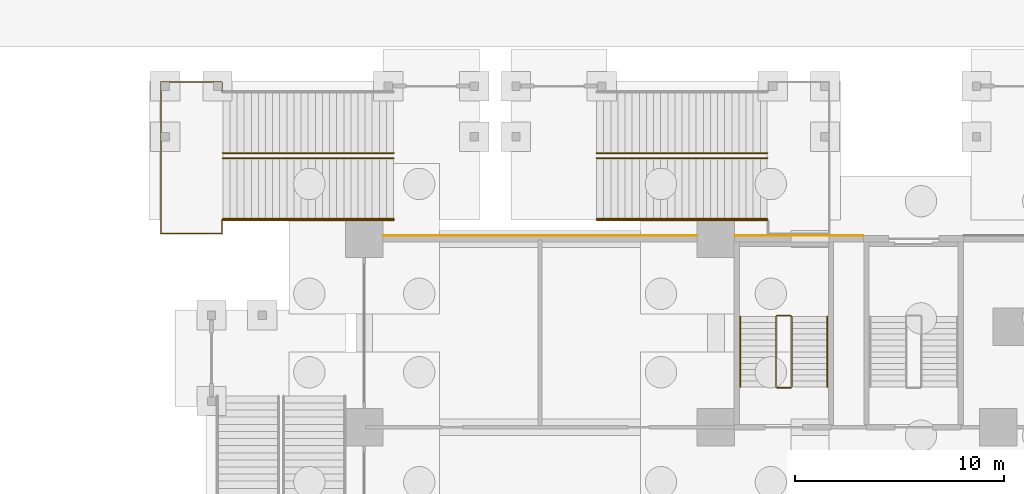
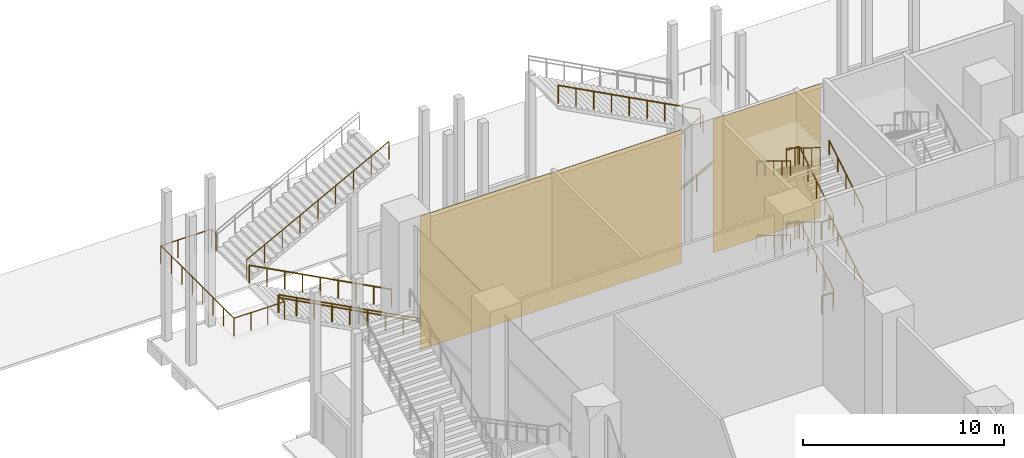
# One storey, part 67 of 72: 17 railings, 2 coverings.
"""IFC4 building model written with IfcOpenShell, lengths in metres."""

from ifc_helpers import new_model, si_unit, direction, frame, origin, origin_2d, place, context, subcontext, project, spatial, rectangle, circle, extrude, material, layer, layer_set, type_object, element, save


model = new_model("IFC4")

# Units and contexts
model_context = context("Model", 3, precision=1e-05, world=origin(), true_north=direction((0.0, 1.0)))
body_context = subcontext(model_context, "Body", "Model", "MODEL_VIEW")
ifc_project = project(units=[si_unit("LENGTHUNIT", "METRE"), si_unit("AREAUNIT", "SQUARE_METRE"), si_unit("VOLUMEUNIT", "CUBIC_METRE"), si_unit("PLANEANGLEUNIT", "RADIAN"), si_unit("MASSUNIT", "GRAM", prefix="KILO")], contexts=[model_context])

# Site, building, storey
site_placement = place(None, origin())
site = spatial("IfcSite", under=ifc_project, at=site_placement, CompositionType="ELEMENT")
building_placement = place(site_placement, origin())
building = spatial("IfcBuilding", under=site, at=building_placement, Name="Candeia Pilgrim Tower and Theatre", CompositionType="ELEMENT")
storey_placement = place(building_placement, origin())
storey = spatial("IfcBuildingStorey", under=building, at=storey_placement, Name="L00", CompositionType="ELEMENT", Elevation=0.0)

# Coverings
ifc_material_1 = material(Name="Glazed ceramic mosaic multi-colour")
ifc_layer = layer(ifc_material_1, 0.02490234375)
ifc_layer_set = layer_set([ifc_layer], Name="MS1 glazed ceramic mosaic")
covering_type = type_object("IfcCoveringType", Name="MS1 glazed ceramic mosaic", PredefinedType="CLADDING", material=ifc_layer_set)
covering_1_placement = place(storey_placement, frame((67.199951171875, 144.96240234375, 0.0), z_axis=(0.0, 0.0, 1.0), x_axis=(1.0, 0.0, 0.0)))
element("IfcCovering", 1, at=covering_1_placement, inside=storey, type_object=covering_type, Name="Mosaic panel", PredefinedType="CLADDING", context=body_context, shape_type="SweptSolid", body=[
    extrude(rectangle(XDim=15.0, YDim=0.02490234375, at=origin_2d()), origin(), (0.0, 0.0, 1.0), 8.10009765625),
])
covering_2_placement = place(storey_placement, frame((79.574951171875, 144.96240234375, 0.0), z_axis=(0.0, 0.0, 1.0), x_axis=(1.0, 0.0, 0.0)))
element("IfcCovering", 2, at=covering_2_placement, inside=storey, type_object=covering_type, Name="Mosaic panel", PredefinedType="CLADDING", context=body_context, shape_type="SweptSolid", body=[
    extrude(rectangle(XDim=6.14990234375, YDim=0.02490234375, at=origin_2d()), origin(), (0.0, 0.0, 1.0), 8.10009765625),
])

# Railings
ifc_material_2 = material(Name="Stainless steel balustrade", Category="steel")
railing_type_1 = type_object("IfcRailingType", Name="RL-GUARD-1100", PredefinedType="GUARDRAIL", material=ifc_material_2)
railing_1_placement = place(storey_placement, frame((79.22509765625, 137.72509765625, 0.173095703125)))
element("IfcRailing", 3, at=railing_1_placement, inside=storey, type_object=railing_type_1, Name="L00 PS1 stair guard 1", PredefinedType="GUARDRAIL", context=body_context, shape_type="SweptSolid", body=[
    extrude(circle(Radius=0.02392578125, at=origin_2d()), frame((0.0, 0.0, 1.076171875), z_axis=(0.0, 0.850606129759, 0.525803396734), x_axis=(-1.0, 0.0, 0.0)), (0.0, 0.0, 1.0), 3.949951171875),
    extrude(circle(Radius=0.02392578125, at=origin_2d()), frame((0.0, 3.35986328125, 3.15283203125), z_axis=(-0.707106781187, 0.707106781187, 0.0), x_axis=(-0.707106781187, -0.707106781187, 0.0)), (0.0, 0.0, 1.0), 0.07080078125),
    extrude(circle(Radius=0.02392578125, at=origin_2d()), frame((-0.050048828125, 3.409912109375, 3.15283203125), z_axis=(-1.0, 0.0, 0.0), x_axis=(0.0, -1.0, 0.0)), (0.0, 0.0, 1.0), 0.650146484375),
    extrude(circle(Radius=0.02392578125, at=origin_2d()), frame((-0.7001953125, 3.409912109375, 3.15283203125), z_axis=(-0.266417085129, -0.267723051232, 0.925929967433), x_axis=(0.708833529934, -0.705375805398, 0.0)), (0.0, 0.0, 1.0), 0.18701171875),
    extrude(circle(Radius=0.02392578125, at=origin_2d()), frame((-0.75, 3.35986328125, 3.326171875), z_axis=(0.0, -0.850606129759, 0.525803396734), x_axis=(1.0, 0.0, 0.0)), (0.0, 0.0, 1.0), 3.949951171875),
    extrude(circle(Radius=0.02099609375, at=origin_2d()), origin(), (0.0, 0.0, 1.0), 1.052001953125),
    extrude(circle(Radius=0.02099609375, at=origin_2d()), frame((0.0, 0.83984375, 0.519287109375)), (0.0, 0.0, 1.0), 1.052001953125),
    extrude(circle(Radius=0.02099609375, at=origin_2d()), frame((0.0, 1.679931640625, 1.03857421875)), (0.0, 0.0, 1.0), 1.052001953125),
    extrude(circle(Radius=0.02099609375, at=origin_2d()), frame((0.0, 2.52001953125, 1.5576171875)), (0.0, 0.0, 1.0), 1.052001953125),
    extrude(circle(Radius=0.02099609375, at=origin_2d()), frame((0.0, 3.35986328125, 2.076904296875)), (0.0, 0.0, 1.0), 1.052001953125),
    extrude(circle(Radius=0.02099609375, at=origin_2d()), frame((-0.050048828125, 3.409912109375, 2.076904296875)), (0.0, 0.0, 1.0), 1.052001953125),
    extrude(circle(Radius=0.02099609375, at=origin_2d()), frame((-0.7001953125, 3.409912109375, 2.076904296875)), (0.0, 0.0, 1.0), 1.052001953125),
    extrude(circle(Radius=0.02099609375, at=origin_2d()), frame((-0.75, 3.35986328125, 2.25)), (0.0, 0.0, 1.0), 1.052001953125),
    extrude(circle(Radius=0.02099609375, at=origin_2d()), frame((-0.75, 2.52001953125, 2.769287109375)), (0.0, 0.0, 1.0), 1.052001953125),
    extrude(circle(Radius=0.02099609375, at=origin_2d()), frame((-0.75, 1.679931640625, 3.28857421875)), (0.0, 0.0, 1.0), 1.052001953125),
    extrude(circle(Radius=0.02099609375, at=origin_2d()), frame((-0.75, 0.83984375, 3.8076171875)), (0.0, 0.0, 1.0), 1.052001953125),
    extrude(circle(Radius=0.02099609375, at=origin_2d()), frame((-0.75, 0.0, 4.326904296875)), (0.0, 0.0, 1.0), 1.052001953125),
])
railing_2_placement = place(storey_placement, frame((79.175048828125, 137.675048828125, 4.5)))
element("IfcRailing", 4, at=railing_2_placement, inside=storey, type_object=railing_type_1, Name="L00 PS1 stair guard 2", PredefinedType="GUARDRAIL", context=body_context, shape_type="SweptSolid", body=[
    extrude(circle(Radius=0.02392578125, at=origin_2d()), frame((0.0, 0.0, 1.076171875), z_axis=(-1.0, 0.0, 0.0), x_axis=(0.0, -1.0, 0.0)), (0.0, 0.0, 1.0), 0.650146484375),
    extrude(circle(Radius=0.02099609375, at=origin_2d()), origin(), (0.0, 0.0, 1.0), 1.052001953125),
    extrude(circle(Radius=0.02099609375, at=origin_2d()), frame((-0.650146484375, 0.0, 0.0)), (0.0, 0.0, 1.0), 1.052001953125),
])
railing_3_placement = place(storey_placement, frame((79.22509765625, 137.72509765625, 4.673095703125)))
element("IfcRailing", 5, at=railing_3_placement, inside=storey, type_object=railing_type_1, Name="L00 PS1 stair guard 3", PredefinedType="GUARDRAIL", context=body_context, shape_type="SweptSolid", body=[
    extrude(circle(Radius=0.02392578125, at=origin_2d()), frame((0.0, 0.0, 1.076171875), z_axis=(0.0, 0.850606129759, 0.525803396734), x_axis=(-1.0, 0.0, 0.0)), (0.0, 0.0, 1.0), 3.949951171875),
    extrude(circle(Radius=0.02392578125, at=origin_2d()), frame((0.0, 3.35986328125, 3.15283203125), z_axis=(-0.707106781187, 0.707106781187, 0.0), x_axis=(-0.707106781187, -0.707106781187, 0.0)), (0.0, 0.0, 1.0), 0.07080078125),
    extrude(circle(Radius=0.02392578125, at=origin_2d()), frame((-0.050048828125, 3.409912109375, 3.15283203125), z_axis=(-1.0, 0.0, 0.0), x_axis=(0.0, -1.0, 0.0)), (0.0, 0.0, 1.0), 0.650146484375),
    extrude(circle(Radius=0.02392578125, at=origin_2d()), frame((-0.7001953125, 3.409912109375, 3.15283203125), z_axis=(-0.266417085129, -0.267723051232, 0.925929967433), x_axis=(0.708833529934, -0.705375805398, 0.0)), (0.0, 0.0, 1.0), 0.18701171875),
    extrude(circle(Radius=0.02392578125, at=origin_2d()), frame((-0.75, 3.35986328125, 3.326171875), z_axis=(0.0, -0.850606129759, 0.525803396734), x_axis=(1.0, 0.0, 0.0)), (0.0, 0.0, 1.0), 3.949951171875),
    extrude(circle(Radius=0.02099609375, at=origin_2d()), origin(), (0.0, 0.0, 1.0), 1.052001953125),
    extrude(circle(Radius=0.02099609375, at=origin_2d()), frame((0.0, 0.83984375, 0.519287109375)), (0.0, 0.0, 1.0), 1.052001953125),
    extrude(circle(Radius=0.02099609375, at=origin_2d()), frame((0.0, 1.679931640625, 1.03857421875)), (0.0, 0.0, 1.0), 1.052001953125),
    extrude(circle(Radius=0.02099609375, at=origin_2d()), frame((0.0, 2.52001953125, 1.5576171875)), (0.0, 0.0, 1.0), 1.052001953125),
    extrude(circle(Radius=0.02099609375, at=origin_2d()), frame((0.0, 3.35986328125, 2.076904296875)), (0.0, 0.0, 1.0), 1.052001953125),
    extrude(circle(Radius=0.02099609375, at=origin_2d()), frame((-0.050048828125, 3.409912109375, 2.076904296875)), (0.0, 0.0, 1.0), 1.052001953125),
    extrude(circle(Radius=0.02099609375, at=origin_2d()), frame((-0.7001953125, 3.409912109375, 2.076904296875)), (0.0, 0.0, 1.0), 1.052001953125),
    extrude(circle(Radius=0.02099609375, at=origin_2d()), frame((-0.75, 3.35986328125, 2.25)), (0.0, 0.0, 1.0), 1.052001953125),
    extrude(circle(Radius=0.02099609375, at=origin_2d()), frame((-0.75, 2.52001953125, 2.769287109375)), (0.0, 0.0, 1.0), 1.052001953125),
    extrude(circle(Radius=0.02099609375, at=origin_2d()), frame((-0.75, 1.679931640625, 3.28857421875)), (0.0, 0.0, 1.0), 1.052001953125),
    extrude(circle(Radius=0.02099609375, at=origin_2d()), frame((-0.75, 0.83984375, 3.8076171875)), (0.0, 0.0, 1.0), 1.052001953125),
    extrude(circle(Radius=0.02099609375, at=origin_2d()), frame((-0.75, 0.0, 4.326904296875)), (0.0, 0.0, 1.0), 1.052001953125),
])
railing_4_placement = place(storey_placement, frame((79.175048828125, 137.675048828125, 0.0)))
element("IfcRailing", 6, at=railing_4_placement, inside=storey, type_object=railing_type_1, Name="L00 PS1 stair guard 4", PredefinedType="GUARDRAIL", context=body_context, shape_type="SweptSolid", body=[
    extrude(circle(Radius=0.02392578125, at=origin_2d()), frame((0.0, 0.0, 1.076171875), z_axis=(-1.0, 0.0, 0.0), x_axis=(0.0, -1.0, 0.0)), (0.0, 0.0, 1.0), 0.650146484375),
    extrude(circle(Radius=0.02099609375, at=origin_2d()), origin(), (0.0, 0.0, 1.0), 1.052001953125),
    extrude(circle(Radius=0.02099609375, at=origin_2d()), frame((-0.650146484375, 0.0, 0.0)), (0.0, 0.0, 1.0), 1.052001953125),
])
railing_5_placement = place(storey_placement, frame((60.199951171875, 148.64990234375, 0.179931640625)))
element("IfcRailing", 7, at=railing_5_placement, inside=storey, type_object=railing_type_1, Name="L00 ES3 stair guard 1", PredefinedType="GUARDRAIL", context=body_context, shape_type="SweptSolid", body=[
    extrude(circle(Radius=0.02392578125, at=origin_2d()), frame((0.0, 0.0, 1.076171875), z_axis=(-0.883782770755, 0.0, 0.467897439742), x_axis=(0.0, -1.0, 0.0)), (0.0, 0.0, 1.0), 9.23291015625),
    extrude(circle(Radius=0.02099609375, at=origin_2d()), origin(), (0.0, 0.0, 1.0), 1.052001953125),
    extrude(circle(Radius=0.02099609375, at=origin_2d()), frame((-1.02001953125, 0.0, 0.5400390625)), (0.0, 0.0, 1.0), 1.052001953125),
    extrude(circle(Radius=0.02099609375, at=origin_2d()), frame((-2.0400390625, 0.0, 1.080078125)), (0.0, 0.0, 1.0), 1.052001953125),
    extrude(circle(Radius=0.02099609375, at=origin_2d()), frame((-3.06005859375, 0.0, 1.6201171875)), (0.0, 0.0, 1.0), 1.052001953125),
    extrude(circle(Radius=0.02099609375, at=origin_2d()), frame((-4.080078125, 0.0, 2.16015625)), (0.0, 0.0, 1.0), 1.052001953125),
    extrude(circle(Radius=0.02099609375, at=origin_2d()), frame((-5.099853515625, 0.0, 2.699951171875)), (0.0, 0.0, 1.0), 1.052001953125),
    extrude(circle(Radius=0.02099609375, at=origin_2d()), frame((-6.119873046875, 0.0, 3.239990234375)), (0.0, 0.0, 1.0), 1.052001953125),
    extrude(circle(Radius=0.02099609375, at=origin_2d()), frame((-7.139892578125, 0.0, 3.780029296875)), (0.0, 0.0, 1.0), 1.052001953125),
    extrude(circle(Radius=0.02099609375, at=origin_2d()), frame((-8.159912109375, 0.0, 4.320068359375)), (0.0, 0.0, 1.0), 1.052001953125),
])
railing_6_placement = place(storey_placement, frame((52.0400390625, 148.89990234375, 4.679931640625)))
element("IfcRailing", 8, at=railing_6_placement, inside=storey, type_object=railing_type_1, Name="L00 ES3 stair guard 2", PredefinedType="GUARDRAIL", context=body_context, shape_type="SweptSolid", body=[
    extrude(circle(Radius=0.02392578125, at=origin_2d()), frame((0.0, 0.0, 1.076171875), z_axis=(0.883782770755, 0.0, 0.467897439742), x_axis=(0.0, 1.0, 0.0)), (0.0, 0.0, 1.0), 9.23291015625),
    extrude(circle(Radius=0.02099609375, at=origin_2d()), origin(), (0.0, 0.0, 1.0), 1.052001953125),
    extrude(circle(Radius=0.02099609375, at=origin_2d()), frame((1.02001953125, 0.0, 0.5400390625)), (0.0, 0.0, 1.0), 1.052001953125),
    extrude(circle(Radius=0.02099609375, at=origin_2d()), frame((2.0400390625, 0.0, 1.080078125)), (0.0, 0.0, 1.0), 1.052001953125),
    extrude(circle(Radius=0.02099609375, at=origin_2d()), frame((3.06005859375, 0.0, 1.6201171875)), (0.0, 0.0, 1.0), 1.052001953125),
    extrude(circle(Radius=0.02099609375, at=origin_2d()), frame((4.080078125, 0.0, 2.16015625)), (0.0, 0.0, 1.0), 1.052001953125),
    extrude(circle(Radius=0.02099609375, at=origin_2d()), frame((5.099853515625, 0.0, 2.699951171875)), (0.0, 0.0, 1.0), 1.052001953125),
    extrude(circle(Radius=0.02099609375, at=origin_2d()), frame((6.119873046875, 0.0, 3.239990234375)), (0.0, 0.0, 1.0), 1.052001953125),
    extrude(circle(Radius=0.02099609375, at=origin_2d()), frame((7.139892578125, 0.0, 3.780029296875)), (0.0, 0.0, 1.0), 1.052001953125),
    extrude(circle(Radius=0.02099609375, at=origin_2d()), frame((8.159912109375, 0.0, 4.320068359375)), (0.0, 0.0, 1.0), 1.052001953125),
])
railing_7_placement = place(storey_placement, frame((60.199951171875, 145.699951171875, 0.179931640625)))
element("IfcRailing", 9, at=railing_7_placement, inside=storey, type_object=railing_type_1, Name="L00 ES3 stair guard 3", PredefinedType="GUARDRAIL", context=body_context, shape_type="SweptSolid", body=[
    extrude(circle(Radius=0.02392578125, at=origin_2d()), frame((0.0, 0.0, 1.076171875), z_axis=(-0.883782770755, 0.0, 0.467897439742), x_axis=(0.0, -1.0, 0.0)), (0.0, 0.0, 1.0), 9.23291015625),
    extrude(circle(Radius=0.02099609375, at=origin_2d()), origin(), (0.0, 0.0, 1.0), 1.052001953125),
    extrude(circle(Radius=0.02099609375, at=origin_2d()), frame((-1.02001953125, 0.0, 0.5400390625)), (0.0, 0.0, 1.0), 1.052001953125),
    extrude(circle(Radius=0.02099609375, at=origin_2d()), frame((-2.0400390625, 0.0, 1.080078125)), (0.0, 0.0, 1.0), 1.052001953125),
    extrude(circle(Radius=0.02099609375, at=origin_2d()), frame((-3.06005859375, 0.0, 1.6201171875)), (0.0, 0.0, 1.0), 1.052001953125),
    extrude(circle(Radius=0.02099609375, at=origin_2d()), frame((-4.080078125, 0.0, 2.16015625)), (0.0, 0.0, 1.0), 1.052001953125),
    extrude(circle(Radius=0.02099609375, at=origin_2d()), frame((-5.099853515625, 0.0, 2.699951171875)), (0.0, 0.0, 1.0), 1.052001953125),
    extrude(circle(Radius=0.02099609375, at=origin_2d()), frame((-6.119873046875, 0.0, 3.239990234375)), (0.0, 0.0, 1.0), 1.052001953125),
    extrude(circle(Radius=0.02099609375, at=origin_2d()), frame((-7.139892578125, 0.0, 3.780029296875)), (0.0, 0.0, 1.0), 1.052001953125),
    extrude(circle(Radius=0.02099609375, at=origin_2d()), frame((-8.159912109375, 0.0, 4.320068359375)), (0.0, 0.0, 1.0), 1.052001953125),
])
railing_8_placement = place(storey_placement, frame((51.989990234375, 145.699951171875, 4.5)))
element("IfcRailing", 10, at=railing_8_placement, inside=storey, type_object=railing_type_1, Name="L00 ES3 stair guard 5", PredefinedType="GUARDRAIL", context=body_context, shape_type="SweptSolid", body=[
    extrude(circle(Radius=0.02392578125, at=origin_2d()), frame((0.0, 0.0, 1.076171875), z_axis=(0.0, -1.0, 0.0), x_axis=(1.0, 0.0, 0.0)), (0.0, 0.0, 1.0), 0.64990234375),
    extrude(circle(Radius=0.02392578125, at=origin_2d()), frame((0.0, -0.64990234375, 1.076171875), z_axis=(-1.0, 0.0, 0.0), x_axis=(0.0, -1.0, 0.0)), (0.0, 0.0, 1.0), 2.89990234375),
    extrude(circle(Radius=0.02392578125, at=origin_2d()), frame((-2.89990234375, -0.64990234375, 1.076171875), z_axis=(0.0, 1.0, 0.0), x_axis=(-1.0, 0.0, 0.0)), (0.0, 0.0, 1.0), 7.25),
    extrude(circle(Radius=0.02392578125, at=origin_2d()), frame((-2.89990234375, 6.60009765625, 1.076171875), z_axis=(1.0, 0.0, 0.0), x_axis=(0.0, 1.0, 0.0)), (0.0, 0.0, 1.0), 2.89990234375),
    extrude(circle(Radius=0.02392578125, at=origin_2d()), frame((0.0, 6.60009765625, 1.076171875), z_axis=(0.0, -1.0, 0.0), x_axis=(1.0, 0.0, 0.0)), (0.0, 0.0, 1.0), 0.449951171875),
    extrude(circle(Radius=0.02099609375, at=origin_2d()), origin(), (0.0, 0.0, 1.0), 1.052001953125),
    extrude(circle(Radius=0.02099609375, at=origin_2d()), frame((0.0, -0.64990234375, 0.0)), (0.0, 0.0, 1.0), 1.052001953125),
    extrude(circle(Radius=0.02099609375, at=origin_2d()), frame((-0.966552734375, -0.64990234375, 0.0)), (0.0, 0.0, 1.0), 1.052001953125),
    extrude(circle(Radius=0.02099609375, at=origin_2d()), frame((-1.933349609375, -0.64990234375, 0.0)), (0.0, 0.0, 1.0), 1.052001953125),
    extrude(circle(Radius=0.02099609375, at=origin_2d()), frame((-2.89990234375, -0.64990234375, 0.0)), (0.0, 0.0, 1.0), 1.052001953125),
    extrude(circle(Radius=0.02099609375, at=origin_2d()), frame((-2.89990234375, 0.3857421875, 0.0)), (0.0, 0.0, 1.0), 1.052001953125),
    extrude(circle(Radius=0.02099609375, at=origin_2d()), frame((-2.89990234375, 1.421630859375, 0.0)), (0.0, 0.0, 1.0), 1.052001953125),
    extrude(circle(Radius=0.02099609375, at=origin_2d()), frame((-2.89990234375, 2.457275390625, 0.0)), (0.0, 0.0, 1.0), 1.052001953125),
    extrude(circle(Radius=0.02099609375, at=origin_2d()), frame((-2.89990234375, 3.492919921875, 0.0)), (0.0, 0.0, 1.0), 1.052001953125),
    extrude(circle(Radius=0.02099609375, at=origin_2d()), frame((-2.89990234375, 4.528564453125, 0.0)), (0.0, 0.0, 1.0), 1.052001953125),
    extrude(circle(Radius=0.02099609375, at=origin_2d()), frame((-2.89990234375, 5.564453125, 0.0)), (0.0, 0.0, 1.0), 1.052001953125),
    extrude(circle(Radius=0.02099609375, at=origin_2d()), frame((-2.89990234375, 6.60009765625, 0.0)), (0.0, 0.0, 1.0), 1.052001953125),
    extrude(circle(Radius=0.02099609375, at=origin_2d()), frame((-1.933349609375, 6.60009765625, 0.0)), (0.0, 0.0, 1.0), 1.052001953125),
    extrude(circle(Radius=0.02099609375, at=origin_2d()), frame((-0.966552734375, 6.60009765625, 0.0)), (0.0, 0.0, 1.0), 1.052001953125),
    extrude(circle(Radius=0.02099609375, at=origin_2d()), frame((0.0, 6.60009765625, 0.0)), (0.0, 0.0, 1.0), 1.052001953125),
    extrude(circle(Radius=0.02099609375, at=origin_2d()), frame((0.0, 6.150146484375, 0.0)), (0.0, 0.0, 1.0), 1.052001953125),
])
railing_9_placement = place(storey_placement, frame((69.89990234375, 148.64990234375, 0.179931640625)))
element("IfcRailing", 11, at=railing_9_placement, inside=storey, type_object=railing_type_1, Name="L00 ES4 stair guard 1", PredefinedType="GUARDRAIL", context=body_context, shape_type="SweptSolid", body=[
    extrude(circle(Radius=0.02392578125, at=origin_2d()), frame((0.0, 0.0, 1.076171875), z_axis=(0.883788559524, 0.0, 0.467886505528), x_axis=(0.0, 1.0, 0.0)), (0.0, 0.0, 1.0), 9.233154296875),
    extrude(circle(Radius=0.02099609375, at=origin_2d()), origin(), (0.0, 0.0, 1.0), 1.052001953125),
    extrude(circle(Radius=0.02099609375, at=origin_2d()), frame((1.02001953125, 0.0, 0.5400390625)), (0.0, 0.0, 1.0), 1.052001953125),
    extrude(circle(Radius=0.02099609375, at=origin_2d()), frame((2.0400390625, 0.0, 1.080078125)), (0.0, 0.0, 1.0), 1.052001953125),
    extrude(circle(Radius=0.02099609375, at=origin_2d()), frame((3.06005859375, 0.0, 1.6201171875)), (0.0, 0.0, 1.0), 1.052001953125),
    extrude(circle(Radius=0.02099609375, at=origin_2d()), frame((4.080078125, 0.0, 2.16015625)), (0.0, 0.0, 1.0), 1.052001953125),
    extrude(circle(Radius=0.02099609375, at=origin_2d()), frame((5.10009765625, 0.0, 2.699951171875)), (0.0, 0.0, 1.0), 1.052001953125),
    extrude(circle(Radius=0.02099609375, at=origin_2d()), frame((6.1201171875, 0.0, 3.239990234375)), (0.0, 0.0, 1.0), 1.052001953125),
    extrude(circle(Radius=0.02099609375, at=origin_2d()), frame((7.14013671875, 0.0, 3.780029296875)), (0.0, 0.0, 1.0), 1.052001953125),
    extrude(circle(Radius=0.02099609375, at=origin_2d()), frame((8.16015625, 0.0, 4.320068359375)), (0.0, 0.0, 1.0), 1.052001953125),
])
railing_10_placement = place(storey_placement, frame((78.06005859375, 148.89990234375, 4.679931640625)))
element("IfcRailing", 12, at=railing_10_placement, inside=storey, type_object=railing_type_1, Name="L00 ES4 stair guard 2", PredefinedType="GUARDRAIL", context=body_context, shape_type="SweptSolid", body=[
    extrude(circle(Radius=0.02392578125, at=origin_2d()), frame((0.0, 0.0, 1.076171875), z_axis=(-0.883788559524, 0.0, 0.467886505528), x_axis=(0.0, -1.0, 0.0)), (0.0, 0.0, 1.0), 9.233154296875),
    extrude(circle(Radius=0.02099609375, at=origin_2d()), origin(), (0.0, 0.0, 1.0), 1.052001953125),
    extrude(circle(Radius=0.02099609375, at=origin_2d()), frame((-1.02001953125, 0.0, 0.5400390625)), (0.0, 0.0, 1.0), 1.052001953125),
    extrude(circle(Radius=0.02099609375, at=origin_2d()), frame((-2.0400390625, 0.0, 1.080078125)), (0.0, 0.0, 1.0), 1.052001953125),
    extrude(circle(Radius=0.02099609375, at=origin_2d()), frame((-3.06005859375, 0.0, 1.6201171875)), (0.0, 0.0, 1.0), 1.052001953125),
    extrude(circle(Radius=0.02099609375, at=origin_2d()), frame((-4.080078125, 0.0, 2.16015625)), (0.0, 0.0, 1.0), 1.052001953125),
    extrude(circle(Radius=0.02099609375, at=origin_2d()), frame((-5.10009765625, 0.0, 2.699951171875)), (0.0, 0.0, 1.0), 1.052001953125),
    extrude(circle(Radius=0.02099609375, at=origin_2d()), frame((-6.1201171875, 0.0, 3.239990234375)), (0.0, 0.0, 1.0), 1.052001953125),
    extrude(circle(Radius=0.02099609375, at=origin_2d()), frame((-7.14013671875, 0.0, 3.780029296875)), (0.0, 0.0, 1.0), 1.052001953125),
    extrude(circle(Radius=0.02099609375, at=origin_2d()), frame((-8.16015625, 0.0, 4.320068359375)), (0.0, 0.0, 1.0), 1.052001953125),
])
railing_11_placement = place(storey_placement, frame((69.89990234375, 145.699951171875, 0.179931640625)))
element("IfcRailing", 13, at=railing_11_placement, inside=storey, type_object=railing_type_1, Name="L00 ES4 stair guard 3", PredefinedType="GUARDRAIL", context=body_context, shape_type="SweptSolid", body=[
    extrude(circle(Radius=0.02392578125, at=origin_2d()), frame((0.0, 0.0, 1.076171875), z_axis=(0.883788559524, 0.0, 0.467886505528), x_axis=(0.0, 1.0, 0.0)), (0.0, 0.0, 1.0), 9.233154296875),
    extrude(circle(Radius=0.02099609375, at=origin_2d()), origin(), (0.0, 0.0, 1.0), 1.052001953125),
    extrude(circle(Radius=0.02099609375, at=origin_2d()), frame((1.02001953125, 0.0, 0.5400390625)), (0.0, 0.0, 1.0), 1.052001953125),
    extrude(circle(Radius=0.02099609375, at=origin_2d()), frame((2.0400390625, 0.0, 1.080078125)), (0.0, 0.0, 1.0), 1.052001953125),
    extrude(circle(Radius=0.02099609375, at=origin_2d()), frame((3.06005859375, 0.0, 1.6201171875)), (0.0, 0.0, 1.0), 1.052001953125),
    extrude(circle(Radius=0.02099609375, at=origin_2d()), frame((4.080078125, 0.0, 2.16015625)), (0.0, 0.0, 1.0), 1.052001953125),
    extrude(circle(Radius=0.02099609375, at=origin_2d()), frame((5.10009765625, 0.0, 2.699951171875)), (0.0, 0.0, 1.0), 1.052001953125),
    extrude(circle(Radius=0.02099609375, at=origin_2d()), frame((6.1201171875, 0.0, 3.239990234375)), (0.0, 0.0, 1.0), 1.052001953125),
    extrude(circle(Radius=0.02099609375, at=origin_2d()), frame((7.14013671875, 0.0, 3.780029296875)), (0.0, 0.0, 1.0), 1.052001953125),
    extrude(circle(Radius=0.02099609375, at=origin_2d()), frame((8.16015625, 0.0, 4.320068359375)), (0.0, 0.0, 1.0), 1.052001953125),
])
ifc_material_3 = material(Name="Stainless steel handrail", Category="steel")
railing_type_2 = type_object("IfcRailingType", Name="RL-HANDRAIL-900", PredefinedType="HANDRAIL", material=ifc_material_3)
railing_12_placement = place(storey_placement, frame((80.925048828125, 137.72509765625, 0.173095703125)))
element("IfcRailing", 14, at=railing_12_placement, inside=storey, type_object=railing_type_2, Name="L00 PS1 stair handrail 1", PredefinedType="HANDRAIL", context=body_context, shape_type="SweptSolid", body=[
    extrude(circle(Radius=0.02392578125, at=origin_2d()), frame((0.0, 0.0, 0.8759765625), z_axis=(0.0, 0.850606129759, 0.525803396734), x_axis=(-1.0, 0.0, 0.0)), (0.0, 0.0, 1.0), 3.949951171875),
    extrude(circle(Radius=0.02099609375, at=origin_2d()), origin(), (0.0, 0.0, 1.0), 0.851806640625),
    extrude(circle(Radius=0.02099609375, at=origin_2d()), frame((0.0, 0.83984375, 0.519287109375)), (0.0, 0.0, 1.0), 0.851806640625),
    extrude(circle(Radius=0.02099609375, at=origin_2d()), frame((0.0, 1.679931640625, 1.03857421875)), (0.0, 0.0, 1.0), 0.851806640625),
    extrude(circle(Radius=0.02099609375, at=origin_2d()), frame((0.0, 2.52001953125, 1.5576171875)), (0.0, 0.0, 1.0), 0.851806640625),
    extrude(circle(Radius=0.02099609375, at=origin_2d()), frame((0.0, 3.35986328125, 2.076904296875)), (0.0, 0.0, 1.0), 0.851806640625),
])
railing_13_placement = place(storey_placement, frame((76.77490234375, 141.0849609375, 2.423095703125)))
element("IfcRailing", 15, at=railing_13_placement, inside=storey, type_object=railing_type_2, Name="L00 PS1 stair handrail 2", PredefinedType="HANDRAIL", context=body_context, shape_type="SweptSolid", body=[
    extrude(circle(Radius=0.02392578125, at=origin_2d()), frame((0.0, 0.0, 0.8759765625), z_axis=(0.0, -0.850606129759, 0.525803396734), x_axis=(1.0, 0.0, 0.0)), (0.0, 0.0, 1.0), 3.949951171875),
    extrude(circle(Radius=0.02099609375, at=origin_2d()), origin(), (0.0, 0.0, 1.0), 0.851806640625),
    extrude(circle(Radius=0.02099609375, at=origin_2d()), frame((0.0, -0.83984375, 0.519287109375)), (0.0, 0.0, 1.0), 0.851806640625),
    extrude(circle(Radius=0.02099609375, at=origin_2d()), frame((0.0, -1.679931640625, 1.03857421875)), (0.0, 0.0, 1.0), 0.851806640625),
    extrude(circle(Radius=0.02099609375, at=origin_2d()), frame((0.0, -2.52001953125, 1.5576171875)), (0.0, 0.0, 1.0), 0.851806640625),
    extrude(circle(Radius=0.02099609375, at=origin_2d()), frame((0.0, -3.35986328125, 2.076904296875)), (0.0, 0.0, 1.0), 0.851806640625),
])
railing_14_placement = place(storey_placement, frame((80.925048828125, 137.72509765625, 4.673095703125)))
element("IfcRailing", 16, at=railing_14_placement, inside=storey, type_object=railing_type_2, Name="L00 PS1 stair handrail 3", PredefinedType="HANDRAIL", context=body_context, shape_type="SweptSolid", body=[
    extrude(circle(Radius=0.02392578125, at=origin_2d()), frame((0.0, 0.0, 0.8759765625), z_axis=(0.0, 0.850606129759, 0.525803396734), x_axis=(-1.0, 0.0, 0.0)), (0.0, 0.0, 1.0), 3.949951171875),
    extrude(circle(Radius=0.02099609375, at=origin_2d()), origin(), (0.0, 0.0, 1.0), 0.851806640625),
    extrude(circle(Radius=0.02099609375, at=origin_2d()), frame((0.0, 0.83984375, 0.519287109375)), (0.0, 0.0, 1.0), 0.851806640625),
    extrude(circle(Radius=0.02099609375, at=origin_2d()), frame((0.0, 1.679931640625, 1.03857421875)), (0.0, 0.0, 1.0), 0.851806640625),
    extrude(circle(Radius=0.02099609375, at=origin_2d()), frame((0.0, 2.52001953125, 1.5576171875)), (0.0, 0.0, 1.0), 0.851806640625),
    extrude(circle(Radius=0.02099609375, at=origin_2d()), frame((0.0, 3.35986328125, 2.076904296875)), (0.0, 0.0, 1.0), 0.851806640625),
])
railing_15_placement = place(storey_placement, frame((76.77490234375, 141.0849609375, 6.923095703125)))
element("IfcRailing", 17, at=railing_15_placement, inside=storey, type_object=railing_type_2, Name="L00 PS1 stair handrail 4", PredefinedType="HANDRAIL", context=body_context, shape_type="SweptSolid", body=[
    extrude(circle(Radius=0.02392578125, at=origin_2d()), frame((0.0, 0.0, 0.8759765625), z_axis=(0.0, -0.850606129759, 0.525803396734), x_axis=(1.0, 0.0, 0.0)), (0.0, 0.0, 1.0), 3.949951171875),
    extrude(circle(Radius=0.02099609375, at=origin_2d()), origin(), (0.0, 0.0, 1.0), 0.851806640625),
    extrude(circle(Radius=0.02099609375, at=origin_2d()), frame((0.0, -0.83984375, 0.519287109375)), (0.0, 0.0, 1.0), 0.851806640625),
    extrude(circle(Radius=0.02099609375, at=origin_2d()), frame((0.0, -1.679931640625, 1.03857421875)), (0.0, 0.0, 1.0), 0.851806640625),
    extrude(circle(Radius=0.02099609375, at=origin_2d()), frame((0.0, -2.52001953125, 1.5576171875)), (0.0, 0.0, 1.0), 0.851806640625),
    extrude(circle(Radius=0.02099609375, at=origin_2d()), frame((0.0, -3.35986328125, 2.076904296875)), (0.0, 0.0, 1.0), 0.851806640625),
])
railing_16_placement = place(storey_placement, frame((60.199951171875, 145.75, 0.179931640625)))
element("IfcRailing", 18, at=railing_16_placement, inside=storey, type_object=railing_type_2, Name="L00 ES3 stair handrail 1", PredefinedType="HANDRAIL", context=body_context, shape_type="SweptSolid", body=[
    extrude(circle(Radius=0.02392578125, at=origin_2d()), frame((0.0, 0.0, 0.8759765625), z_axis=(-0.883782770755, 0.0, 0.467897439742), x_axis=(0.0, -1.0, 0.0)), (0.0, 0.0, 1.0), 9.23291015625),
    extrude(circle(Radius=0.02099609375, at=origin_2d()), origin(), (0.0, 0.0, 1.0), 0.851806640625),
    extrude(circle(Radius=0.02099609375, at=origin_2d()), frame((-1.02001953125, 0.0, 0.5400390625)), (0.0, 0.0, 1.0), 0.851806640625),
    extrude(circle(Radius=0.02099609375, at=origin_2d()), frame((-2.0400390625, 0.0, 1.080078125)), (0.0, 0.0, 1.0), 0.851806640625),
    extrude(circle(Radius=0.02099609375, at=origin_2d()), frame((-3.06005859375, 0.0, 1.6201171875)), (0.0, 0.0, 1.0), 0.851806640625),
    extrude(circle(Radius=0.02099609375, at=origin_2d()), frame((-4.080078125, 0.0, 2.16015625)), (0.0, 0.0, 1.0), 0.851806640625),
    extrude(circle(Radius=0.02099609375, at=origin_2d()), frame((-5.099853515625, 0.0, 2.699951171875)), (0.0, 0.0, 1.0), 0.851806640625),
    extrude(circle(Radius=0.02099609375, at=origin_2d()), frame((-6.119873046875, 0.0, 3.239990234375)), (0.0, 0.0, 1.0), 0.851806640625),
    extrude(circle(Radius=0.02099609375, at=origin_2d()), frame((-7.139892578125, 0.0, 3.780029296875)), (0.0, 0.0, 1.0), 0.851806640625),
    extrude(circle(Radius=0.02099609375, at=origin_2d()), frame((-8.159912109375, 0.0, 4.320068359375)), (0.0, 0.0, 1.0), 0.851806640625),
])
railing_17_placement = place(storey_placement, frame((69.89990234375, 145.75, 0.179931640625)))
element("IfcRailing", 19, at=railing_17_placement, inside=storey, type_object=railing_type_2, Name="L00 ES4 stair handrail 1", PredefinedType="HANDRAIL", context=body_context, shape_type="SweptSolid", body=[
    extrude(circle(Radius=0.02392578125, at=origin_2d()), frame((0.0, 0.0, 0.8759765625), z_axis=(0.883788559524, 0.0, 0.467886505528), x_axis=(0.0, 1.0, 0.0)), (0.0, 0.0, 1.0), 9.233154296875),
    extrude(circle(Radius=0.02099609375, at=origin_2d()), origin(), (0.0, 0.0, 1.0), 0.851806640625),
    extrude(circle(Radius=0.02099609375, at=origin_2d()), frame((1.02001953125, 0.0, 0.5400390625)), (0.0, 0.0, 1.0), 0.851806640625),
    extrude(circle(Radius=0.02099609375, at=origin_2d()), frame((2.0400390625, 0.0, 1.080078125)), (0.0, 0.0, 1.0), 0.851806640625),
    extrude(circle(Radius=0.02099609375, at=origin_2d()), frame((3.06005859375, 0.0, 1.6201171875)), (0.0, 0.0, 1.0), 0.851806640625),
    extrude(circle(Radius=0.02099609375, at=origin_2d()), frame((4.080078125, 0.0, 2.16015625)), (0.0, 0.0, 1.0), 0.851806640625),
    extrude(circle(Radius=0.02099609375, at=origin_2d()), frame((5.10009765625, 0.0, 2.699951171875)), (0.0, 0.0, 1.0), 0.851806640625),
    extrude(circle(Radius=0.02099609375, at=origin_2d()), frame((6.1201171875, 0.0, 3.239990234375)), (0.0, 0.0, 1.0), 0.851806640625),
    extrude(circle(Radius=0.02099609375, at=origin_2d()), frame((7.14013671875, 0.0, 3.780029296875)), (0.0, 0.0, 1.0), 0.851806640625),
    extrude(circle(Radius=0.02099609375, at=origin_2d()), frame((8.16015625, 0.0, 4.320068359375)), (0.0, 0.0, 1.0), 0.851806640625),
])

save(model, "model.ifc")
